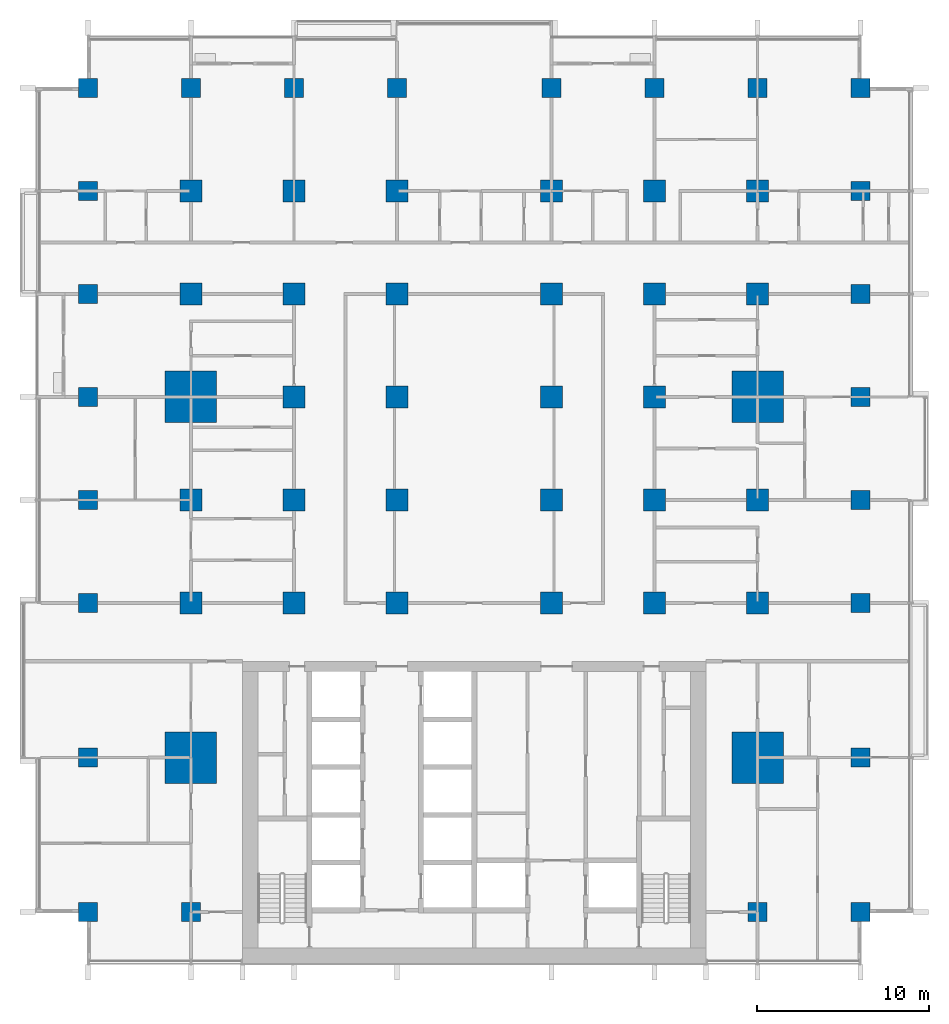
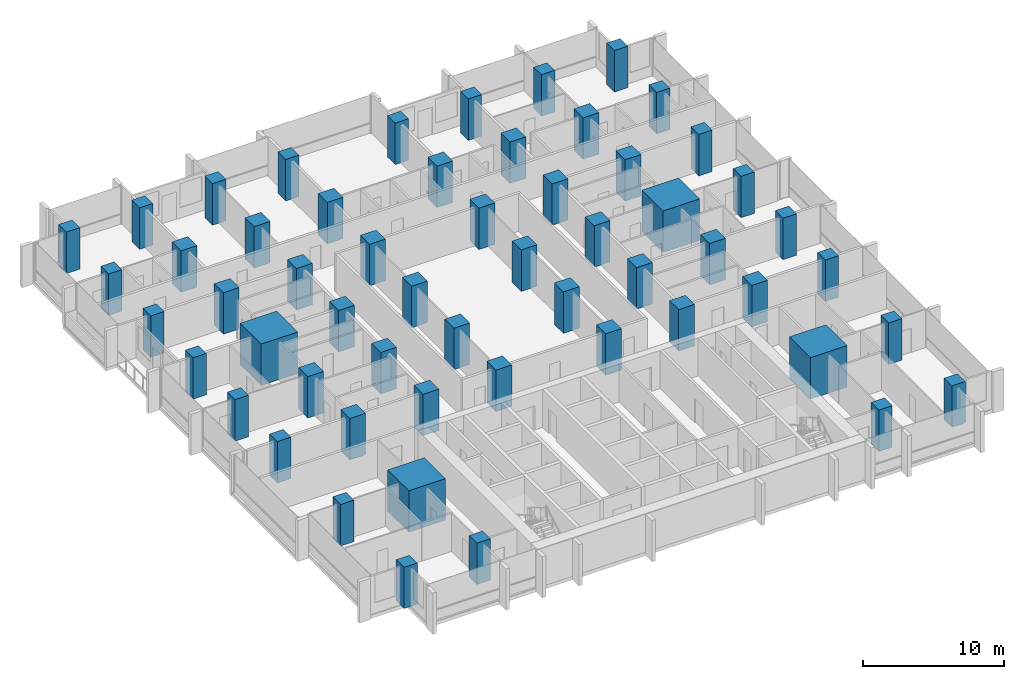
# One storey, part 1 of 18: 56 columns.
"""IFC4 building model written with IfcOpenShell, lengths in metres."""

from ifc_helpers import new_model, si_unit, direction, frame, origin, origin_2d, place, context, subcontext, project, spatial, rectangle, extrude, material, material_profile, profile_set, type_object, element, save


model = new_model("IFC4")

# Units and contexts
model_context = context("Model", 3, precision=1e-05, world=origin(), true_north=direction((0.0, 1.0)))
body_context = subcontext(model_context, "Body", "Model", "MODEL_VIEW")
ifc_project = project(units=[si_unit("LENGTHUNIT", "METRE"), si_unit("AREAUNIT", "SQUARE_METRE"), si_unit("VOLUMEUNIT", "CUBIC_METRE"), si_unit("PLANEANGLEUNIT", "RADIAN"), si_unit("MASSUNIT", "GRAM", prefix="KILO")], contexts=[model_context])

# Site, building, storey
site_placement = place(None, origin())
site = spatial("IfcSite", under=ifc_project, at=site_placement, CompositionType="ELEMENT")
building_placement = place(site_placement, origin())
building = spatial("IfcBuilding", under=site, at=building_placement, Name="Finial Court Residences", CompositionType="ELEMENT")
storey_placement = place(building_placement, frame((0.0, 0.0, 39.699951171875)))
storey = spatial("IfcBuildingStorey", under=building, at=storey_placement, Name="L08", CompositionType="ELEMENT", Elevation=39.699951171875)

# Columns
ifc_material = material(Name="Concrete C80/95", Category="concrete")
ifc_material_profile_1 = material_profile(ifc_material, rectangle(XDim=1.300048828125, YDim=1.300048828125, at=origin_2d()), Name="1300x1300")
ifc_profile_set_1 = profile_set([ifc_material_profile_1], Name="Concrete C80/95")
column_type_1 = type_object("IfcColumnType", Name="Interior column 1300x1300 Concrete C80/95", PredefinedType="COLUMN", material=ifc_profile_set_1)
for number, where, z_axis, x_axis, name in (
    (1, (-16.5, -4.5, 0.0), (0.0, 0.0, 1.0), (1.0, 0.0, 0.0), "S:COL:L08:C4"),
    (2, (-16.5, 1.5, 0.0), (0.0, 0.0, 1.0), (1.0, 0.0, 0.0), "S:COL:L08:C5"),
    (3, (-16.5, 13.5, 0.0), (0.0, 0.0, 1.0), (1.0, 0.0, 0.0), "S:COL:L08:C7"),
    (4, (-16.5, 19.5, 0.0), (0.0, 0.0, 1.0), (1.0, 0.0, 0.0), "S:COL:L08:C8"),
    (5, (-10.5, -4.5, 0.0), (0.0, 0.0, 1.0), (1.0, 0.0, 0.0), "S:COL:L08:D4"),
    (6, (-10.5, 1.5, 0.0), (0.0, 0.0, 1.0), (1.0, 0.0, 0.0), "S:COL:L08:D5"),
    (7, (-10.5, 7.5, 0.0), (0.0, 0.0, 1.0), (1.0, 0.0, 0.0), "S:COL:L08:D6"),
    (8, (-10.5, 13.5, 0.0), (0.0, 0.0, 1.0), (1.0, 0.0, 0.0), "S:COL:L08:D7"),
    (9, (-10.5, 19.5, 0.0), (0.0, 0.0, 1.0), (1.0, 0.0, 0.0), "S:COL:L08:D8"),
    (10, (-4.5, -4.5, 0.0), (0.0, 0.0, 1.0), (1.0, 0.0, 0.0), "S:COL:L08:E4"),
    (11, (-4.5, 1.5, 0.0), (0.0, 0.0, 1.0), (1.0, 0.0, 0.0), "S:COL:L08:E5"),
    (12, (-4.5, 7.5, 0.0), (0.0, 0.0, 1.0), (1.0, 0.0, 0.0), "S:COL:L08:E6"),
    (13, (-4.5, 13.5, 0.0), (0.0, 0.0, 1.0), (1.0, 0.0, 0.0), "S:COL:L08:E7"),
    (14, (-4.5, 19.5, 0.0), (0.0, 0.0, 1.0), (1.0, 0.0, 0.0), "S:COL:L08:E8"),
    (15, (4.5, -4.5, 0.0), (0.0, 0.0, 1.0), (1.0, 0.0, 0.0), "S:COL:L08:F4"),
    (16, (4.5, 1.5, 0.0), (0.0, 0.0, 1.0), (1.0, 0.0, 0.0), "S:COL:L08:F5"),
    (17, (4.5, 7.5, 0.0), (0.0, 0.0, 1.0), (1.0, 0.0, 0.0), "S:COL:L08:F6"),
    (18, (4.5, 13.5, 0.0), (0.0, 0.0, 1.0), (1.0, 0.0, 0.0), "S:COL:L08:F7"),
    (19, (4.5, 19.5, 0.0), (0.0, 0.0, 1.0), (1.0, 0.0, 0.0), "S:COL:L08:F8"),
    (20, (10.5, -4.5, 0.0), (0.0, 0.0, 1.0), (1.0, 0.0, 0.0), "S:COL:L08:G4"),
    (21, (10.5, 1.5, 0.0), (0.0, 0.0, 1.0), (1.0, 0.0, 0.0), "S:COL:L08:G5"),
    (22, (10.5, 7.5, 0.0), (0.0, 0.0, 1.0), (1.0, 0.0, 0.0), "S:COL:L08:G6"),
    (23, (10.5, 13.5, 0.0), (0.0, 0.0, 1.0), (1.0, 0.0, 0.0), "S:COL:L08:G7"),
    (24, (10.5, 19.5, 0.0), (0.0, 0.0, 1.0), (1.0, 0.0, 0.0), "S:COL:L08:G8"),
    (25, (16.5, -4.5, 0.0), (0.0, 0.0, 1.0), (1.0, 0.0, 0.0), "S:COL:L08:H4"),
    (26, (16.5, 1.5, 0.0), (0.0, 0.0, 1.0), (1.0, 0.0, 0.0), "S:COL:L08:H5"),
    (27, (16.5, 13.5, 0.0), (0.0, 0.0, 1.0), (1.0, 0.0, 0.0), "S:COL:L08:H7"),
    (28, (16.5, 19.5, 0.0), (0.0, 0.0, 1.0), (1.0, 0.0, 0.0), "S:COL:L08:H8"),
):
    element("IfcColumn", number, at=place(storey_placement, frame(where, z_axis=z_axis, x_axis=x_axis)), inside=storey, type_object=column_type_1, Name=name, PredefinedType="COLUMN", context=body_context, shape_type="SweptSolid", body=[
        extrude(rectangle(XDim=1.300048828125, YDim=1.300048828125, at=origin_2d()), origin(), (0.0, 0.0, 1.0), 3.60009765625),
    ])
ifc_material_profile_2 = material_profile(ifc_material, rectangle(XDim=3.0, YDim=3.0, at=origin_2d()), Name="3000x3000")
ifc_profile_set_2 = profile_set([ifc_material_profile_2], Name="Concrete C80/95")
column_type_2 = type_object("IfcColumnType", Name="Mega column 3000x3000 Concrete C80/95", PredefinedType="COLUMN", material=ifc_profile_set_2)
for number, where, z_axis, x_axis, name in (
    (29, (-16.5, -13.5, 0.0), (0.0, 0.0, 1.0), (1.0, 0.0, 0.0), "S:COL:L08:C3"),
    (30, (-16.5, 7.5, 0.0), (0.0, 0.0, 1.0), (1.0, 0.0, 0.0), "S:COL:L08:C6"),
    (31, (16.5, -13.5, 0.0), (0.0, 0.0, 1.0), (1.0, 0.0, 0.0), "S:COL:L08:H3"),
    (32, (16.5, 7.5, 0.0), (0.0, 0.0, 1.0), (1.0, 0.0, 0.0), "S:COL:L08:H6"),
):
    element("IfcColumn", number, at=place(storey_placement, frame(where, z_axis=z_axis, x_axis=x_axis)), inside=storey, type_object=column_type_2, Name=name, PredefinedType="COLUMN", context=body_context, shape_type="SweptSolid", body=[
        extrude(rectangle(XDim=3.0, YDim=3.0, at=origin_2d()), origin(), (0.0, 0.0, 1.0), 3.60009765625),
    ])
ifc_material_profile_3 = material_profile(ifc_material, rectangle(XDim=1.10009765625, YDim=1.10009765625, at=origin_2d()), Name="1100x1100")
ifc_profile_set_3 = profile_set([ifc_material_profile_3], Name="Concrete C80/95")
column_type_3 = type_object("IfcColumnType", Name="Perimeter column 1100x1100 Concrete C80/95", PredefinedType="COLUMN", material=ifc_profile_set_3)
for number, where, z_axis, x_axis, name in (
    (33, (-22.5, -22.5, 0.0), (0.0, 0.0, 1.0), (1.0, 0.0, 0.0), "S:COL:L08:B2"),
    (34, (-22.5, -13.5, 0.0), (0.0, 0.0, 1.0), (1.0, 0.0, 0.0), "S:COL:L08:B3"),
    (35, (-22.5, -4.5, 0.0), (0.0, 0.0, 1.0), (1.0, 0.0, 0.0), "S:COL:L08:B4"),
    (36, (-22.5, 1.5, 0.0), (0.0, 0.0, 1.0), (1.0, 0.0, 0.0), "S:COL:L08:B5"),
    (37, (-22.5, 7.5, 0.0), (0.0, 0.0, 1.0), (1.0, 0.0, 0.0), "S:COL:L08:B6"),
    (38, (-22.5, 13.5, 0.0), (0.0, 0.0, 1.0), (1.0, 0.0, 0.0), "S:COL:L08:B7"),
    (39, (-22.5, 19.5, 0.0), (0.0, 0.0, 1.0), (1.0, 0.0, 0.0), "S:COL:L08:B8"),
    (40, (-22.5, 25.5, 0.0), (0.0, 0.0, 1.0), (1.0, 0.0, 0.0), "S:COL:L08:B9"),
    (41, (-16.5, -22.5, 0.0), (0.0, 0.0, 1.0), (1.0, 0.0, 0.0), "S:COL:L08:C2"),
    (42, (-16.5, 25.5, 0.0), (0.0, 0.0, 1.0), (1.0, 0.0, 0.0), "S:COL:L08:C9"),
    (43, (-10.5, 25.5, 0.0), (0.0, 0.0, 1.0), (1.0, 0.0, 0.0), "S:COL:L08:D9"),
    (44, (-4.5, 25.5, 0.0), (0.0, 0.0, 1.0), (1.0, 0.0, 0.0), "S:COL:L08:E9"),
    (45, (4.5, 25.5, 0.0), (0.0, 0.0, 1.0), (1.0, 0.0, 0.0), "S:COL:L08:F9"),
    (46, (10.5, 25.5, 0.0), (0.0, 0.0, 1.0), (1.0, 0.0, 0.0), "S:COL:L08:G9"),
    (47, (16.5, -22.5, 0.0), (0.0, 0.0, 1.0), (1.0, 0.0, 0.0), "S:COL:L08:H2"),
    (48, (16.5, 25.5, 0.0), (0.0, 0.0, 1.0), (1.0, 0.0, 0.0), "S:COL:L08:H9"),
    (49, (22.5, -22.5, 0.0), (0.0, 0.0, 1.0), (1.0, 0.0, 0.0), "S:COL:L08:I2"),
    (50, (22.5, -13.5, 0.0), (0.0, 0.0, 1.0), (1.0, 0.0, 0.0), "S:COL:L08:I3"),
    (51, (22.5, -4.5, 0.0), (0.0, 0.0, 1.0), (1.0, 0.0, 0.0), "S:COL:L08:I4"),
    (52, (22.5, 1.5, 0.0), (0.0, 0.0, 1.0), (1.0, 0.0, 0.0), "S:COL:L08:I5"),
    (53, (22.5, 7.5, 0.0), (0.0, 0.0, 1.0), (1.0, 0.0, 0.0), "S:COL:L08:I6"),
    (54, (22.5, 13.5, 0.0), (0.0, 0.0, 1.0), (1.0, 0.0, 0.0), "S:COL:L08:I7"),
    (55, (22.5, 19.5, 0.0), (0.0, 0.0, 1.0), (1.0, 0.0, 0.0), "S:COL:L08:I8"),
    (56, (22.5, 25.5, 0.0), (0.0, 0.0, 1.0), (1.0, 0.0, 0.0), "S:COL:L08:I9"),
):
    element("IfcColumn", number, at=place(storey_placement, frame(where, z_axis=z_axis, x_axis=x_axis)), inside=storey, type_object=column_type_3, Name=name, PredefinedType="COLUMN", context=body_context, shape_type="SweptSolid", body=[
        extrude(rectangle(XDim=1.10009765625, YDim=1.10009765625, at=origin_2d()), origin(), (0.0, 0.0, 1.0), 3.60009765625),
    ])

save(model, "model.ifc")
